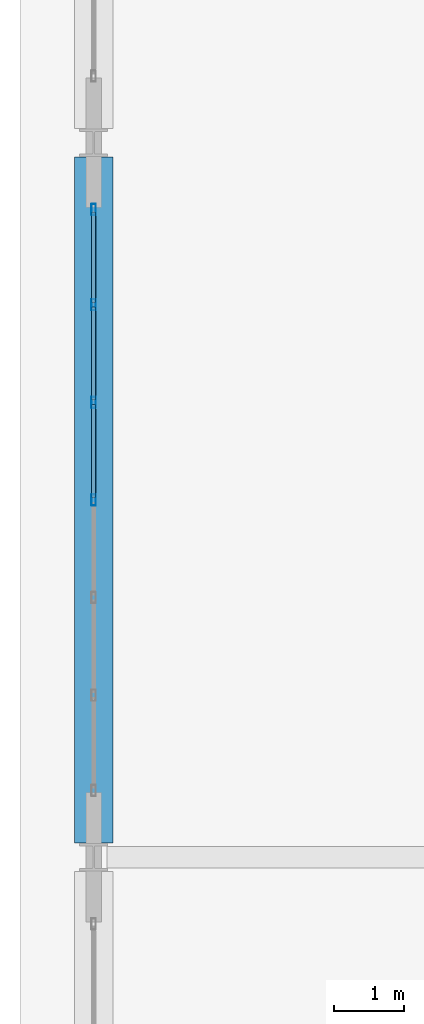
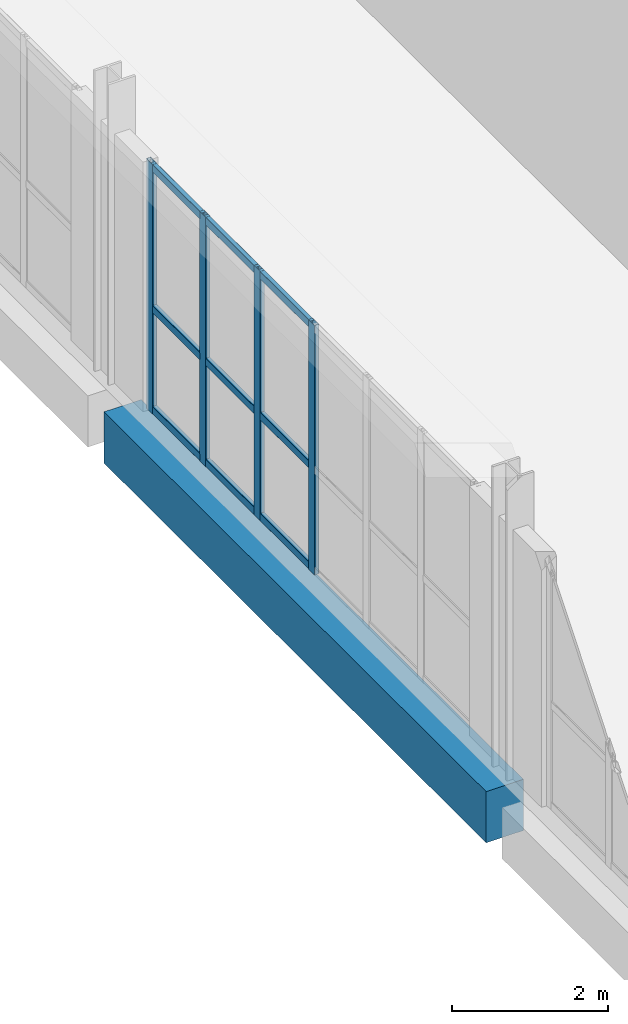
# One storey, part 12 of 36: 13 members, 1 beam, 1 element without a shape of its own.
"""IFC4 building model written with IfcOpenShell, lengths in metres."""

from ifc_helpers import new_model, si_unit, direction, frame, origin, origin_2d, place, context, subcontext, project, spatial, rectangle, hollow_rectangle, extrude, material, layer, layer_set, material_profile, profile_set, type_object, element, aggregate, save


model = new_model("IFC4")

# Units and contexts
model_context = context("Model", 3, precision=1e-05, world=origin(), true_north=direction((0.0, 1.0)))
body_context = subcontext(model_context, "Body", "Model", "MODEL_VIEW")
ifc_project = project(units=[si_unit("LENGTHUNIT", "METRE"), si_unit("AREAUNIT", "SQUARE_METRE"), si_unit("VOLUMEUNIT", "CUBIC_METRE"), si_unit("PLANEANGLEUNIT", "RADIAN"), si_unit("MASSUNIT", "GRAM", prefix="KILO")], contexts=[model_context])

# Site, building, storey
site_placement = place(None, origin())
site = spatial("IfcSite", under=ifc_project, at=site_placement, CompositionType="ELEMENT")
building_placement = place(site_placement, origin())
building = spatial("IfcBuilding", under=site, at=building_placement, Name="Kaelvorn Grand Hotel", CompositionType="ELEMENT")
storey_placement = place(building_placement, frame((0.0, 0.0, 305.699951171875)))
storey = spatial("IfcBuildingStorey", under=building, at=storey_placement, Name="L74", CompositionType="ELEMENT", Elevation=305.699951171875)

# Beam
ifc_material_1 = material(Name="Concrete C50/60", Category="concrete")
ifc_material_profile_1 = material_profile(ifc_material_1, rectangle(XDim=0.550048828125, YDim=0.800048828125, at=origin_2d()), Name="RC SPANDREL 550x800")
ifc_profile_set_1 = profile_set([ifc_material_profile_1], Name="Concrete C50/60")
beam_type = type_object("IfcBeamType", Name="BM-SP-550x800-C50", PredefinedType="SPANDREL", material=ifc_profile_set_1)
beam_placement = place(storey_placement, frame((9.0, 29.60498046875, -0.780029296875), z_axis=(0.0, 1.0, 0.0), x_axis=(-1.0, 0.0, 0.0)))
element("IfcBeam", 1, at=beam_placement, inside=storey, type_object=beam_type, Name="L74 West Perimeter Spandrel 03", PredefinedType="SPANDREL", context=body_context, shape_type="SweptSolid", body=[
    extrude(rectangle(XDim=0.550048828125, YDim=0.800048828125, at=origin_2d()), origin(), (0.0, 0.0, 1.0), 9.7900390625),
])

# Curtain wall, members
ifc_material_2 = material(Name="Anodised Aluminium", Category="aluminium")
ifc_layer = layer(ifc_material_2, 0.159912109375)
ifc_layer_set = layer_set([ifc_layer], Name="Anodised Aluminium")
curtain_wall_type = type_object("IfcCurtainWallType", Name="CW-SYS6", PredefinedType="NOTDEFINED", material=ifc_layer_set)
curtain_wall_placement = place(storey_placement, origin())
curtain_wall = element("IfcCurtainWall", 2, at=curtain_wall_placement, inside=storey, type_object=curtain_wall_type, Name="L74 Unitised Curtain Wall CW6 (CW-L74-W-04)", PredefinedType="NOTDEFINED")
ifc_material_profile_2 = material_profile(ifc_material_2, hollow_rectangle(XDim=0.06494140625, YDim=0.159912109375, WallThickness=0.00341796875, InnerFilletRadius=0.00341796875, OuterFilletRadius=0.007080078125, at=origin_2d()), Name="ALU MULL 65x160")
ifc_profile_set_2 = profile_set([ifc_material_profile_2], Name="Anodised Aluminium")
member_type_1 = type_object("IfcMemberType", Name="CW-SYS6-MULL", PredefinedType="MULLION", material=ifc_profile_set_2)
member_1_placement = place(storey_placement, frame((9.0, 38.6474609375, 0.0), z_axis=(0.0, 0.0, 1.0), x_axis=(1.0, 0.0, 0.0)))
member_1 = element("IfcMember", 3, at=member_1_placement, type_object=member_type_1, Name="CW6 mullion 1", PredefinedType="MULLION", context=body_context, shape_type="SweptSolid", body=[
    extrude(hollow_rectangle(XDim=0.06494140625, YDim=0.159912109375, WallThickness=0.00341796875, InnerFilletRadius=0.00341796875, OuterFilletRadius=0.007080078125, at=origin_2d()), origin(), (0.0, 0.0, 1.0), 3.900146484375),
])
member_2_placement = place(storey_placement, frame((9.0, 37.28662109375, 0.0), z_axis=(0.0, 0.0, 1.0), x_axis=(1.0, 0.0, 0.0)))
member_2 = element("IfcMember", 4, at=member_2_placement, type_object=member_type_1, Name="CW6 mullion 2", PredefinedType="MULLION", context=body_context, shape_type="SweptSolid", body=[
    extrude(hollow_rectangle(XDim=0.06494140625, YDim=0.159912109375, WallThickness=0.00341796875, InnerFilletRadius=0.00341796875, OuterFilletRadius=0.007080078125, at=origin_2d()), origin(), (0.0, 0.0, 1.0), 3.900146484375),
])
member_3_placement = place(storey_placement, frame((9.0, 35.893310546875, 0.0), z_axis=(0.0, 0.0, 1.0), x_axis=(1.0, 0.0, 0.0)))
member_3 = element("IfcMember", 5, at=member_3_placement, type_object=member_type_1, Name="CW6 mullion 3", PredefinedType="MULLION", context=body_context, shape_type="SweptSolid", body=[
    extrude(hollow_rectangle(XDim=0.06494140625, YDim=0.159912109375, WallThickness=0.00341796875, InnerFilletRadius=0.00341796875, OuterFilletRadius=0.007080078125, at=origin_2d()), origin(), (0.0, 0.0, 1.0), 3.900146484375),
])
member_4_placement = place(storey_placement, frame((9.0, 34.5, 0.0), z_axis=(0.0, 0.0, 1.0), x_axis=(1.0, 0.0, 0.0)))
member_4 = element("IfcMember", 6, at=member_4_placement, type_object=member_type_1, Name="CW6 mullion 4", PredefinedType="MULLION", context=body_context, shape_type="SweptSolid", body=[
    extrude(hollow_rectangle(XDim=0.06494140625, YDim=0.159912109375, WallThickness=0.00341796875, InnerFilletRadius=0.00341796875, OuterFilletRadius=0.007080078125, at=origin_2d()), origin(), (0.0, 0.0, 1.0), 3.900146484375),
])
ifc_material_profile_3 = material_profile(ifc_material_2, hollow_rectangle(XDim=0.06494140625, YDim=0.1201171875, WallThickness=0.00341796875, InnerFilletRadius=0.00341796875, OuterFilletRadius=0.007080078125, at=origin_2d()), Name="ALU TRAN 65x120")
ifc_profile_set_3 = profile_set([ifc_material_profile_3], Name="Anodised Aluminium")
member_type_2 = type_object("IfcMemberType", Name="CW-SYS6-TRAN", PredefinedType="NOTDEFINED", material=ifc_profile_set_3)
member_5_placement = place(storey_placement, frame((9.0, 38.614990234375, 0.06005859375), z_axis=(0.0, -1.0, 0.0), x_axis=(1.0, 0.0, 0.0)))
member_5 = element("IfcMember", 7, at=member_5_placement, type_object=member_type_2, Name="CW6 transom 1.1", ObjectType="TRANSOM", PredefinedType="USERDEFINED", context=body_context, shape_type="SweptSolid", body=[
    extrude(hollow_rectangle(XDim=0.06494140625, YDim=0.1201171875, WallThickness=0.00341796875, InnerFilletRadius=0.00341796875, OuterFilletRadius=0.007080078125, at=origin_2d()), origin(), (0.0, 0.0, 1.0), 1.2958984375),
])
member_6_placement = place(storey_placement, frame((9.0, 38.614990234375, 1.637939453125), z_axis=(0.0, -1.0, 0.0), x_axis=(1.0, 0.0, 0.0)))
member_6 = element("IfcMember", 8, at=member_6_placement, type_object=member_type_2, Name="CW6 transom 1.2", ObjectType="TRANSOM", PredefinedType="USERDEFINED", context=body_context, shape_type="SweptSolid", body=[
    extrude(hollow_rectangle(XDim=0.06494140625, YDim=0.1201171875, WallThickness=0.00341796875, InnerFilletRadius=0.00341796875, OuterFilletRadius=0.007080078125, at=origin_2d()), origin(), (0.0, 0.0, 1.0), 1.2958984375),
])
member_7_placement = place(storey_placement, frame((9.0, 38.614990234375, 3.840087890625), z_axis=(0.0, -1.0, 0.0), x_axis=(1.0, 0.0, 0.0)))
member_7 = element("IfcMember", 9, at=member_7_placement, type_object=member_type_2, Name="CW6 transom 1.3", ObjectType="TRANSOM", PredefinedType="USERDEFINED", context=body_context, shape_type="SweptSolid", body=[
    extrude(hollow_rectangle(XDim=0.06494140625, YDim=0.1201171875, WallThickness=0.00341796875, InnerFilletRadius=0.00341796875, OuterFilletRadius=0.007080078125, at=origin_2d()), origin(), (0.0, 0.0, 1.0), 1.2958984375),
])
member_8_placement = place(storey_placement, frame((9.0, 37.254150390625, 0.06005859375), z_axis=(0.0, -1.0, 0.0), x_axis=(1.0, 0.0, 0.0)))
member_8 = element("IfcMember", 10, at=member_8_placement, type_object=member_type_2, Name="CW6 transom 2.1", ObjectType="TRANSOM", PredefinedType="USERDEFINED", context=body_context, shape_type="SweptSolid", body=[
    extrude(hollow_rectangle(XDim=0.06494140625, YDim=0.1201171875, WallThickness=0.00341796875, InnerFilletRadius=0.00341796875, OuterFilletRadius=0.007080078125, at=origin_2d()), origin(), (0.0, 0.0, 1.0), 1.328369140625),
])
member_9_placement = place(storey_placement, frame((9.0, 37.254150390625, 1.637939453125), z_axis=(0.0, -1.0, 0.0), x_axis=(1.0, 0.0, 0.0)))
member_9 = element("IfcMember", 11, at=member_9_placement, type_object=member_type_2, Name="CW6 transom 2.2", ObjectType="TRANSOM", PredefinedType="USERDEFINED", context=body_context, shape_type="SweptSolid", body=[
    extrude(hollow_rectangle(XDim=0.06494140625, YDim=0.1201171875, WallThickness=0.00341796875, InnerFilletRadius=0.00341796875, OuterFilletRadius=0.007080078125, at=origin_2d()), origin(), (0.0, 0.0, 1.0), 1.328369140625),
])
member_10_placement = place(storey_placement, frame((9.0, 37.254150390625, 3.840087890625), z_axis=(0.0, -1.0, 0.0), x_axis=(1.0, 0.0, 0.0)))
member_10 = element("IfcMember", 12, at=member_10_placement, type_object=member_type_2, Name="CW6 transom 2.3", ObjectType="TRANSOM", PredefinedType="USERDEFINED", context=body_context, shape_type="SweptSolid", body=[
    extrude(hollow_rectangle(XDim=0.06494140625, YDim=0.1201171875, WallThickness=0.00341796875, InnerFilletRadius=0.00341796875, OuterFilletRadius=0.007080078125, at=origin_2d()), origin(), (0.0, 0.0, 1.0), 1.328369140625),
])
member_11_placement = place(storey_placement, frame((9.0, 35.86083984375, 0.06005859375), z_axis=(0.0, -1.0, 0.0), x_axis=(1.0, 0.0, 0.0)))
member_11 = element("IfcMember", 13, at=member_11_placement, type_object=member_type_2, Name="CW6 transom 3.1", ObjectType="TRANSOM", PredefinedType="USERDEFINED", context=body_context, shape_type="SweptSolid", body=[
    extrude(hollow_rectangle(XDim=0.06494140625, YDim=0.1201171875, WallThickness=0.00341796875, InnerFilletRadius=0.00341796875, OuterFilletRadius=0.007080078125, at=origin_2d()), origin(), (0.0, 0.0, 1.0), 1.328369140625),
])
member_12_placement = place(storey_placement, frame((9.0, 35.86083984375, 1.637939453125), z_axis=(0.0, -1.0, 0.0), x_axis=(1.0, 0.0, 0.0)))
member_12 = element("IfcMember", 14, at=member_12_placement, type_object=member_type_2, Name="CW6 transom 3.2", ObjectType="TRANSOM", PredefinedType="USERDEFINED", context=body_context, shape_type="SweptSolid", body=[
    extrude(hollow_rectangle(XDim=0.06494140625, YDim=0.1201171875, WallThickness=0.00341796875, InnerFilletRadius=0.00341796875, OuterFilletRadius=0.007080078125, at=origin_2d()), origin(), (0.0, 0.0, 1.0), 1.328369140625),
])
member_13_placement = place(storey_placement, frame((9.0, 35.86083984375, 3.840087890625), z_axis=(0.0, -1.0, 0.0), x_axis=(1.0, 0.0, 0.0)))
member_13 = element("IfcMember", 15, at=member_13_placement, type_object=member_type_2, Name="CW6 transom 3.3", ObjectType="TRANSOM", PredefinedType="USERDEFINED", context=body_context, shape_type="SweptSolid", body=[
    extrude(hollow_rectangle(XDim=0.06494140625, YDim=0.1201171875, WallThickness=0.00341796875, InnerFilletRadius=0.00341796875, OuterFilletRadius=0.007080078125, at=origin_2d()), origin(), (0.0, 0.0, 1.0), 1.328369140625),
])
aggregate(curtain_wall, [member_1, member_2, member_3, member_4, member_5, member_6, member_7, member_8, member_9, member_10, member_11, member_12, member_13])

save(model, "model.ifc")
